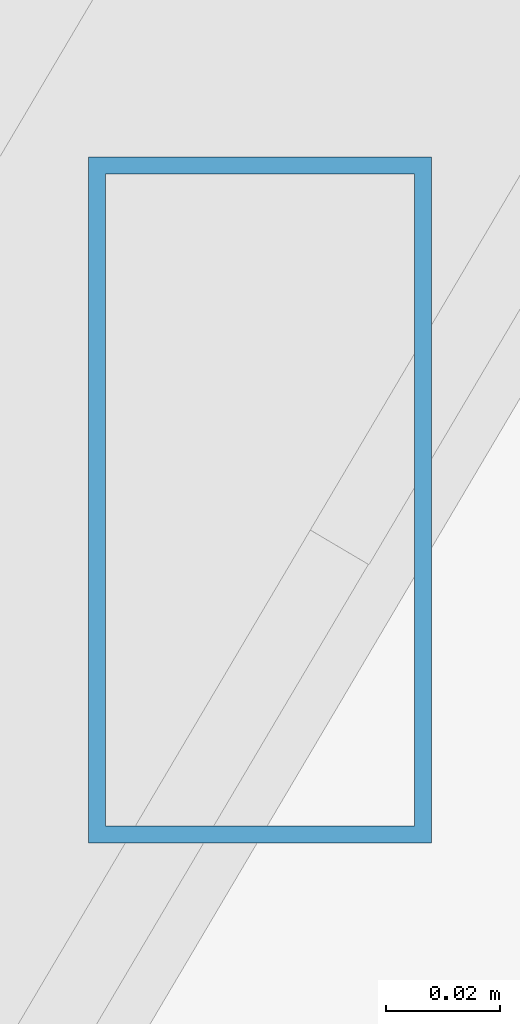
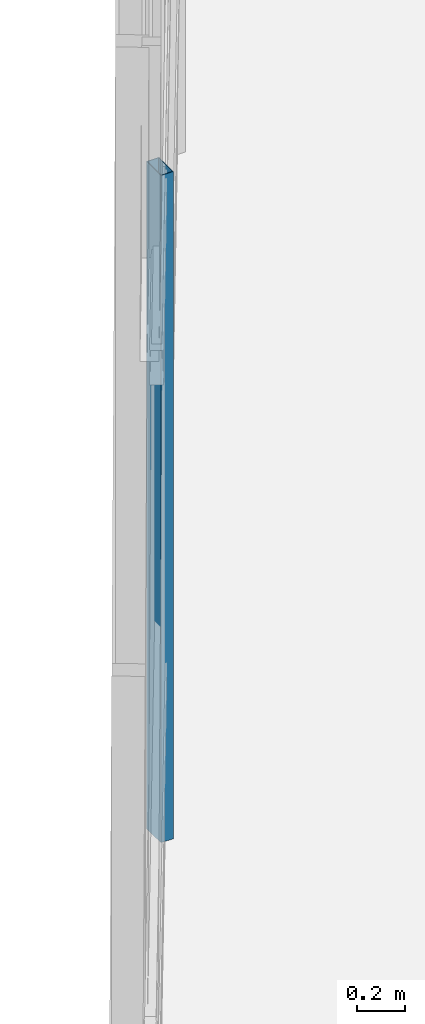
# One storey, part 7 of 50: 1 member, 1 element without a shape of its own.
"""IFC4 building model written with IfcOpenShell, lengths in metres."""

from ifc_helpers import new_model, si_unit, direction, frame, origin, origin_2d, place, context, subcontext, project, spatial, hollow_rectangle, extrude, source, transform, mapped, material, material_profile, profile_set, type_object, type_shapes, element, aggregate, save


model = new_model("IFC4")

# Units and contexts
model_context = context("Model", 3, precision=1e-05, world=origin(), true_north=direction((0.0, 1.0)))
body_context = subcontext(model_context, "Body", "Model", "MODEL_VIEW")
ifc_project = project(units=[si_unit("LENGTHUNIT", "METRE"), si_unit("AREAUNIT", "SQUARE_METRE"), si_unit("VOLUMEUNIT", "CUBIC_METRE"), si_unit("PLANEANGLEUNIT", "RADIAN"), si_unit("MASSUNIT", "GRAM", prefix="KILO")], contexts=[model_context])

# Site, building, storey
site_placement = place(None, origin())
site = spatial("IfcSite", under=ifc_project, at=site_placement, CompositionType="ELEMENT")
building_placement = place(site_placement, origin())
building = spatial("IfcBuilding", under=site, at=building_placement, Name="Caelisora Broadcast Tower", CompositionType="ELEMENT")
storey_placement = place(building_placement, frame((0.0, 0.0, 303.39990234375)))
storey = spatial("IfcBuildingStorey", under=building, at=storey_placement, Name="L80", CompositionType="ELEMENT", Elevation=303.39990234375)

# Curtain wall, member
ifc_material_1 = material(Name="Unitised Aluminium Insulated Shadow-Box Spandrel Curtain Wall", Category="aluminium")
curtain_wall_type = type_object("IfcCurtainWallType", Name="CW-SP3", PredefinedType="NOTDEFINED", material=ifc_material_1)
curtain_wall_placement = place(storey_placement, origin())
curtain_wall = element("IfcCurtainWall", 1, at=curtain_wall_placement, inside=storey, type_object=curtain_wall_type, Name="L80 curtain wall CW-SP3", PredefinedType="NOTDEFINED")
ifc_material_2 = material(Name="Aluminium 6063-T6 Anodised Terracotta Bronze", Category="aluminium")
ifc_material_profile = material_profile(ifc_material_2, hollow_rectangle(XDim=0.06005859375, YDim=0.1201171875, WallThickness=0.0029296875, at=origin_2d()), Name="Aluminium 6063-T6 Anodised Terracotta Bronze")
ifc_profile_set = profile_set([ifc_material_profile], Name="Aluminium 6063-T6 Anodised Terracotta Bronze")
member_type = type_object("IfcMemberType", Name="CWM-04", PredefinedType="MULLION", material=ifc_profile_set)
shared_shape = source(origin(), body_context, "Body", "SweptSolid", [
    extrude(hollow_rectangle(XDim=0.06005859375, YDim=0.1201171875, WallThickness=0.0029296875, at=origin_2d()), origin(), (0.0, 0.0, 1.0), 3.400146484375),
])
type_shapes(member_type, [shared_shape])
member_placement = place(storey_placement, frame((15.958984375, 16.735595703125, 0.0), z_axis=(0.0, 0.0, 1.0), x_axis=(1.0, 0.0, 0.0)))
member = element("IfcMember", 2, at=member_placement, type_object=member_type, Name="L80-CW-B09 mullion #1", PredefinedType="MULLION", context=body_context, shape_type="MappedRepresentation", body=[
    mapped(shared_shape, transform((0.0, 0.0, 0.0), scale=1.0)),
])
aggregate(curtain_wall, [member])

save(model, "model.ifc")
